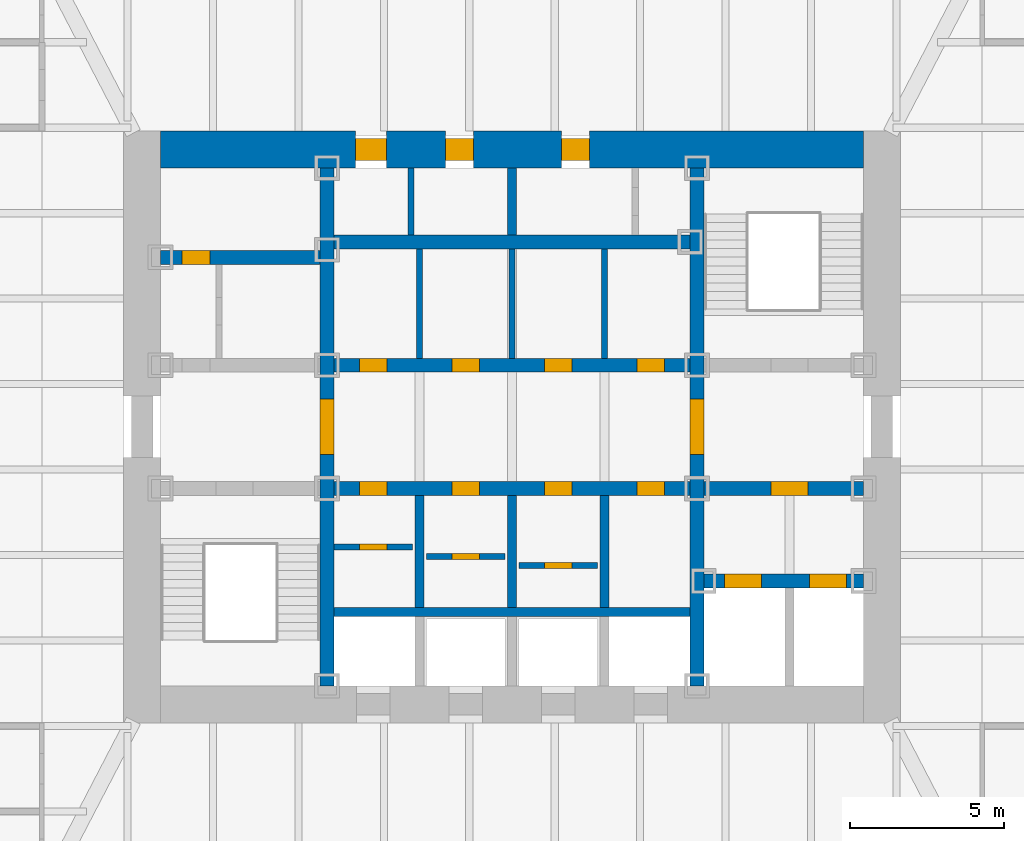
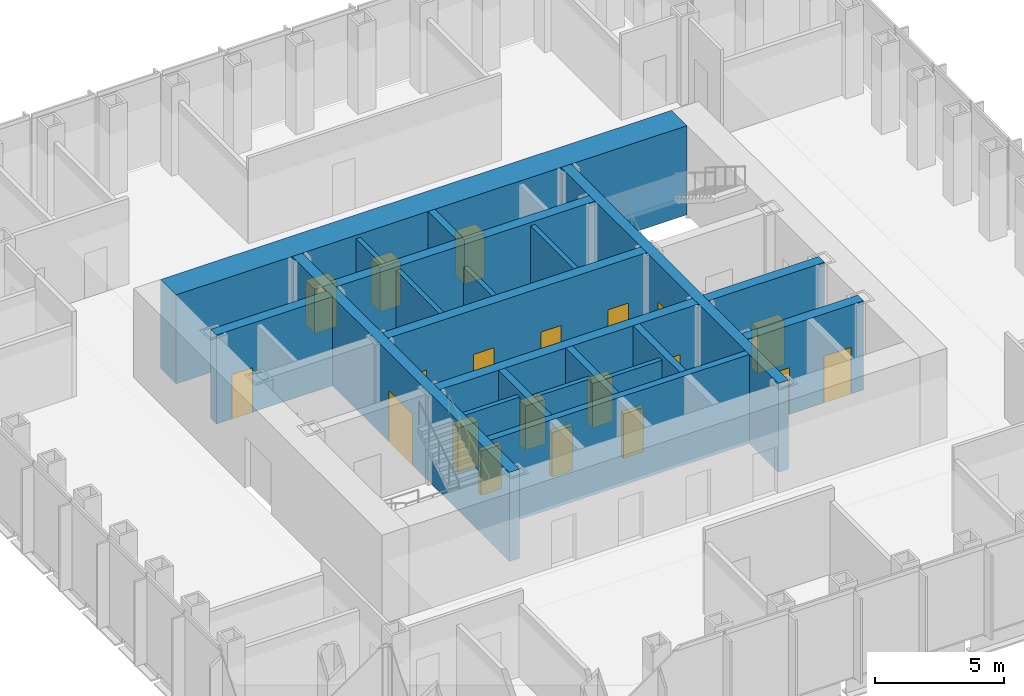
# One storey, part 9 of 16: 21 walls, 20 doors, 20 openings.
"""IFC4 building model written with IfcOpenShell, lengths in metres."""

from ifc_helpers import new_model, si_unit, direction, frame, frame_2d, origin, place, context, subcontext, project, spatial, rectangle, extrude, material, layer, layer_set, type_object, element, fill, save


model = new_model("IFC4")

# Units and contexts
model_context = context("Model", 3, precision=1e-05, world=origin(), true_north=direction((0.0, 1.0)))
body_context = subcontext(model_context, "Body", "Model", "MODEL_VIEW")
ifc_project = project(units=[si_unit("LENGTHUNIT", "METRE"), si_unit("AREAUNIT", "SQUARE_METRE"), si_unit("VOLUMEUNIT", "CUBIC_METRE"), si_unit("PLANEANGLEUNIT", "RADIAN"), si_unit("MASSUNIT", "GRAM", prefix="KILO")], contexts=[model_context])

# Site, building, storey
site_placement = place(None, origin())
site = spatial("IfcSite", under=ifc_project, at=site_placement, CompositionType="ELEMENT")
building_placement = place(site_placement, origin())
building = spatial("IfcBuilding", under=site, at=building_placement, Name="Daluyong Arena Tower", CompositionType="ELEMENT")
storey_placement = place(building_placement, frame((0.0, 0.0, 262.89990234375)))
storey = spatial("IfcBuildingStorey", under=building, at=storey_placement, Name="L59", CompositionType="ELEMENT", Elevation=262.89990234375)

# Wall, opening, door
ifc_material_1 = material(Name="Concrete fc' 45 MPa", Category="concrete")
ifc_layer_1 = layer(ifc_material_1, 0.449951171875)
ifc_layer_set_1 = layer_set([ifc_layer_1], Name="Concrete fc' 45 MPa")
wall_type_1 = type_object("IfcWallType", Name="Core inner wall 450", PredefinedType="SHEAR", material=ifc_layer_set_1)
wall_1_placement = place(storey_placement, frame((50.0, 71.60009765625, 0.0), z_axis=(0.0, 0.0, 1.0), x_axis=(0.0, 1.0, 0.0)))
wall_1 = element("IfcWall", 1, at=wall_1_placement, inside=storey, type_object=wall_type_1, Name="core inner wall at L59", PredefinedType="SHEAR", context=body_context, shape_type="SweptSolid", body=[
    extrude(rectangle(XDim=16.7998046875, YDim=0.449951171875, at=frame_2d((8.39990234375, 0.0))), origin(), (0.0, 0.0, 1.0), 4.2001953125),
])
opening_1_placement = place(wall_1_placement, frame((7.5, 0.0, 0.0)))
opening_1 = element("IfcOpeningElement", 2, at=opening_1_placement, cuts=wall_1, Name="Opening 59023", PredefinedType="OPENING", context=body_context, shape_type="SweptSolid", body=[
    extrude(rectangle(XDim=1.800048828125, YDim=2.39990234375, at=frame_2d((0.89990234375, 1.199951171875))), frame((0.0, 0.23486328125, 0.0), z_axis=(0.0, -1.0, 0.0), x_axis=(1.0, 0.0, 0.0)), (0.0, 0.0, 1.0), 0.469970703125),
])
ifc_material_2 = material(Name="Steel door, fire rated", Category="steel")
door_type_1 = type_object("IfcDoorType", Name="Lift lobby opening door 1800", OperationType="DOUBLE_DOOR_SINGLE_SWING", PredefinedType="DOOR", material=ifc_material_2)
door_1_placement = place(opening_1_placement, origin())
door_1 = element("IfcDoor", 3, at=door_1_placement, inside=storey, type_object=door_type_1, Name="lift lobby door west 59023", OperationType="DOUBLE_DOOR_SINGLE_SWING", OverallHeight=2.39990234375, OverallWidth=1.800048828125, PredefinedType="DOOR", context=body_context, shape_type="SweptSolid", body=[
    extrude(rectangle(XDim=1.800048828125, YDim=2.39990234375, at=frame_2d((0.89990234375, 1.199951171875))), frame((0.0, 0.224609375, 0.0), z_axis=(0.0, -1.0, 0.0), x_axis=(1.0, 0.0, 0.0)), (0.0, 0.0, 1.0), 0.449462890625),
])
fill(opening_1, door_1)

wall_2_placement = place(storey_placement, frame((62.0, 71.60009765625, 0.0), z_axis=(0.0, 0.0, 1.0), x_axis=(0.0, 1.0, 0.0)))
wall_2 = element("IfcWall", 4, at=wall_2_placement, inside=storey, type_object=wall_type_1, Name="core inner wall at L59", PredefinedType="SHEAR", context=body_context, shape_type="SweptSolid", body=[
    extrude(rectangle(XDim=16.7998046875, YDim=0.449951171875, at=frame_2d((8.39990234375, 0.0))), origin(), (0.0, 0.0, 1.0), 4.2001953125),
])
opening_2_placement = place(wall_2_placement, frame((7.5, 0.0, 0.0)))
opening_2 = element("IfcOpeningElement", 5, at=opening_2_placement, cuts=wall_2, Name="Opening 59024", PredefinedType="OPENING", context=body_context, shape_type="SweptSolid", body=[
    extrude(rectangle(XDim=1.800048828125, YDim=2.39990234375, at=frame_2d((0.89990234375, 1.199951171875))), frame((0.0, 0.23486328125, 0.0), z_axis=(0.0, -1.0, 0.0), x_axis=(1.0, 0.0, 0.0)), (0.0, 0.0, 1.0), 0.469970703125),
])
door_2_placement = place(opening_2_placement, origin())
door_2 = element("IfcDoor", 6, at=door_2_placement, inside=storey, type_object=door_type_1, Name="lift lobby door east 59024", OperationType="DOUBLE_DOOR_SINGLE_SWING", OverallHeight=2.39990234375, OverallWidth=1.800048828125, PredefinedType="DOOR", context=body_context, shape_type="SweptSolid", body=[
    extrude(rectangle(XDim=1.800048828125, YDim=2.39990234375, at=frame_2d((0.89990234375, 1.199951171875))), frame((0.0, 0.224609375, 0.0), z_axis=(0.0, -1.0, 0.0), x_axis=(1.0, 0.0, 0.0)), (0.0, 0.0, 1.0), 0.449462890625),
])
fill(opening_2, door_2)

wall_3_placement = place(storey_placement, frame((44.60009765625, 85.5, 0.0), z_axis=(0.0, 0.0, 1.0), x_axis=(1.0, 0.0, 0.0)))
wall_3 = element("IfcWall", 7, at=wall_3_placement, inside=storey, type_object=wall_type_1, Name="core inner wall at L59", PredefinedType="SHEAR", context=body_context, shape_type="SweptSolid", body=[
    extrude(rectangle(XDim=5.1748046875, YDim=0.449951171875, at=frame_2d((2.58740234375, 0.0))), origin(), (0.0, 0.0, 1.0), 4.2001953125),
])
opening_3_placement = place(wall_3_placement, frame((0.699951171875, 0.0, 0.0)))
opening_3 = element("IfcOpeningElement", 8, at=opening_3_placement, cuts=wall_3, Name="Opening 59003", PredefinedType="OPENING", context=body_context, shape_type="SweptSolid", body=[
    extrude(rectangle(XDim=0.89990234375, YDim=2.10009765625, at=frame_2d((0.449951171875, 1.050048828125))), frame((0.0, 0.23486328125, 0.0), z_axis=(0.0, -1.0, 0.0), x_axis=(1.0, 0.0, 0.0)), (0.0, 0.0, 1.0), 0.469970703125),
])
ifc_material_3 = material(Name="Timber door", Category="wood")
door_type_2 = type_object("IfcDoorType", Name="Toilet door 900", OperationType="SINGLE_SWING_RIGHT", PredefinedType="DOOR", material=ifc_material_3)
door_3_placement = place(opening_3_placement, origin())
door_3 = element("IfcDoor", 9, at=door_3_placement, inside=storey, type_object=door_type_2, Name="female toilet door 59003", OperationType="SINGLE_SWING_RIGHT", OverallHeight=2.10009765625, OverallWidth=0.89990234375, PredefinedType="DOOR", context=body_context, shape_type="SweptSolid", body=[
    extrude(rectangle(XDim=0.89990234375, YDim=2.10009765625, at=frame_2d((0.449951171875, 1.050048828125))), frame((0.0, 0.224609375, 0.0), z_axis=(0.0, -1.0, 0.0), x_axis=(1.0, 0.0, 0.0)), (0.0, 0.0, 1.0), 0.449462890625),
])
fill(opening_3, door_3)

# Wall, openings, doors
wall_4_placement = place(storey_placement, frame((62.22509765625, 75.0, 0.0), z_axis=(0.0, 0.0, 1.0), x_axis=(1.0, 0.0, 0.0)))
wall_4 = element("IfcWall", 10, at=wall_4_placement, inside=storey, type_object=wall_type_1, Name="core inner wall at L59", PredefinedType="SHEAR", context=body_context, shape_type="SweptSolid", body=[
    extrude(rectangle(XDim=5.1748046875, YDim=0.449951171875, at=frame_2d((2.58740234375, 0.0))), origin(), (0.0, 0.0, 1.0), 4.2001953125),
])
opening_4_placement = place(wall_4_placement, frame((0.675048828125, 0.0, 0.0)))
opening_4 = element("IfcOpeningElement", 11, at=opening_4_placement, cuts=wall_4, Name="Opening 59030", PredefinedType="OPENING", context=body_context, shape_type="SweptSolid", body=[
    extrude(rectangle(XDim=1.199951171875, YDim=2.199951171875, at=frame_2d((0.60009765625, 1.10009765625))), frame((0.0, 0.23486328125, 0.0), z_axis=(0.0, -1.0, 0.0), x_axis=(1.0, 0.0, 0.0)), (0.0, 0.0, 1.0), 0.469970703125),
])
opening_5_placement = place(wall_4_placement, frame((3.425048828125, 0.0, 0.0)))
opening_5 = element("IfcOpeningElement", 12, at=opening_5_placement, cuts=wall_4, Name="Opening 59031", PredefinedType="OPENING", context=body_context, shape_type="SweptSolid", body=[
    extrude(rectangle(XDim=1.199951171875, YDim=2.199951171875, at=frame_2d((0.60009765625, 1.10009765625))), frame((0.0, 0.23486328125, 0.0), z_axis=(0.0, -1.0, 0.0), x_axis=(1.0, 0.0, 0.0)), (0.0, 0.0, 1.0), 0.469970703125),
])
ifc_material_4 = material(Name="Steel door, fire rated", Category="steel")
door_type_3 = type_object("IfcDoorType", Name="Firefighting lift landing door 1200", OperationType="SLIDING_TO_LEFT", PredefinedType="DOOR", material=ifc_material_4)
door_4_placement = place(opening_4_placement, origin())
door_4 = element("IfcDoor", 13, at=door_4_placement, inside=storey, type_object=door_type_3, Name="firefighting lift landing door F1 59030", OperationType="SLIDING_TO_LEFT", OverallHeight=2.199951171875, OverallWidth=1.199951171875, PredefinedType="DOOR", context=body_context, shape_type="SweptSolid", body=[
    extrude(rectangle(XDim=1.199951171875, YDim=2.199951171875, at=frame_2d((0.60009765625, 1.10009765625))), frame((0.0, 0.224609375, 0.0), z_axis=(0.0, -1.0, 0.0), x_axis=(1.0, 0.0, 0.0)), (0.0, 0.0, 1.0), 0.449462890625),
])
fill(opening_4, door_4)
door_5_placement = place(opening_5_placement, origin())
door_5 = element("IfcDoor", 14, at=door_5_placement, inside=storey, type_object=door_type_3, Name="firefighting lift landing door F2 59031", OperationType="SLIDING_TO_LEFT", OverallHeight=2.199951171875, OverallWidth=1.199951171875, PredefinedType="DOOR", context=body_context, shape_type="SweptSolid", body=[
    extrude(rectangle(XDim=1.199951171875, YDim=2.199951171875, at=frame_2d((0.60009765625, 1.10009765625))), frame((0.0, 0.224609375, 0.0), z_axis=(0.0, -1.0, 0.0), x_axis=(1.0, 0.0, 0.0)), (0.0, 0.0, 1.0), 0.449462890625),
])
fill(opening_5, door_5)

# Wall, opening, door
wall_5_placement = place(storey_placement, frame((62.22509765625, 78.0, 0.0), z_axis=(0.0, 0.0, 1.0), x_axis=(1.0, 0.0, 0.0)))
wall_5 = element("IfcWall", 15, at=wall_5_placement, inside=storey, type_object=wall_type_1, Name="core inner wall at L59", PredefinedType="SHEAR", context=body_context, shape_type="SweptSolid", body=[
    extrude(rectangle(XDim=5.1748046875, YDim=0.449951171875, at=frame_2d((2.58740234375, 0.0))), origin(), (0.0, 0.0, 1.0), 4.2001953125),
])
opening_6_placement = place(wall_5_placement, frame((2.175048828125, 0.0, 0.0)))
opening_6 = element("IfcOpeningElement", 16, at=opening_6_placement, cuts=wall_5, Name="Opening 59025", PredefinedType="OPENING", context=body_context, shape_type="SweptSolid", body=[
    extrude(rectangle(XDim=1.199951171875, YDim=2.10009765625, at=frame_2d((0.60009765625, 1.050048828125))), frame((0.0, 0.23486328125, 0.0), z_axis=(0.0, -1.0, 0.0), x_axis=(1.0, 0.0, 0.0)), (0.0, 0.0, 1.0), 0.469970703125),
])
ifc_material_5 = material(Name="Steel door, fire rated", Category="steel")
door_type_4 = type_object("IfcDoorType", Name="Firefighting lobby door 1200", OperationType="SINGLE_SWING_RIGHT", PredefinedType="DOOR", material=ifc_material_5)
door_6_placement = place(opening_6_placement, origin())
door_6 = element("IfcDoor", 17, at=door_6_placement, inside=storey, type_object=door_type_4, Name="firefighting lobby door 59025", OperationType="SINGLE_SWING_RIGHT", OverallHeight=2.10009765625, OverallWidth=1.199951171875, PredefinedType="DOOR", context=body_context, shape_type="SweptSolid", body=[
    extrude(rectangle(XDim=1.199951171875, YDim=2.10009765625, at=frame_2d((0.60009765625, 1.050048828125))), frame((0.0, 0.224609375, 0.0), z_axis=(0.0, -1.0, 0.0), x_axis=(1.0, 0.0, 0.0)), (0.0, 0.0, 1.0), 0.449462890625),
])
fill(opening_6, door_6)

# Wall, openings, doors
wall_6_placement = place(storey_placement, frame((50.22509765625, 78.0, 0.0), z_axis=(0.0, 0.0, 1.0), x_axis=(1.0, 0.0, 0.0)))
wall_6 = element("IfcWall", 18, at=wall_6_placement, inside=storey, type_object=wall_type_1, Name="core inner wall at L59", PredefinedType="SHEAR", context=body_context, shape_type="SweptSolid", body=[
    extrude(rectangle(XDim=11.5498046875, YDim=0.449951171875, at=frame_2d((5.77490234375, 0.0))), origin(), (0.0, 0.0, 1.0), 4.2001953125),
])
opening_7_placement = place(wall_6_placement, frame((0.824951171875, 0.0, 0.0)))
opening_7 = element("IfcOpeningElement", 19, at=opening_7_placement, cuts=wall_6, Name="Opening 59008", PredefinedType="OPENING", context=body_context, shape_type="SweptSolid", body=[
    extrude(rectangle(XDim=0.89990234375, YDim=2.10009765625, at=frame_2d((0.449951171875, 1.050048828125))), frame((0.0, 0.23486328125, 0.0), z_axis=(0.0, -1.0, 0.0), x_axis=(1.0, 0.0, 0.0)), (0.0, 0.0, 1.0), 0.469970703125),
])
opening_8_placement = place(wall_6_placement, frame((3.824951171875, 0.0, 0.0)))
opening_8 = element("IfcOpeningElement", 20, at=opening_8_placement, cuts=wall_6, Name="Opening 59010", PredefinedType="OPENING", context=body_context, shape_type="SweptSolid", body=[
    extrude(rectangle(XDim=0.89990234375, YDim=2.10009765625, at=frame_2d((0.449951171875, 1.050048828125))), frame((0.0, 0.23486328125, 0.0), z_axis=(0.0, -1.0, 0.0), x_axis=(1.0, 0.0, 0.0)), (0.0, 0.0, 1.0), 0.469970703125),
])
opening_9_placement = place(wall_6_placement, frame((6.824951171875, 0.0, 0.0)))
opening_9 = element("IfcOpeningElement", 21, at=opening_9_placement, cuts=wall_6, Name="Opening 59012", PredefinedType="OPENING", context=body_context, shape_type="SweptSolid", body=[
    extrude(rectangle(XDim=0.89990234375, YDim=2.10009765625, at=frame_2d((0.449951171875, 1.050048828125))), frame((0.0, 0.23486328125, 0.0), z_axis=(0.0, -1.0, 0.0), x_axis=(1.0, 0.0, 0.0)), (0.0, 0.0, 1.0), 0.469970703125),
])
opening_10_placement = place(wall_6_placement, frame((9.824951171875, 0.0, 0.0)))
opening_10 = element("IfcOpeningElement", 22, at=opening_10_placement, cuts=wall_6, Name="Opening 59014", PredefinedType="OPENING", context=body_context, shape_type="SweptSolid", body=[
    extrude(rectangle(XDim=0.89990234375, YDim=2.10009765625, at=frame_2d((0.449951171875, 1.050048828125))), frame((0.0, 0.23486328125, 0.0), z_axis=(0.0, -1.0, 0.0), x_axis=(1.0, 0.0, 0.0)), (0.0, 0.0, 1.0), 0.469970703125),
])
ifc_material_6 = material(Name="Steel door, fire rated", Category="steel")
door_type_5 = type_object("IfcDoorType", Name="Core room door 900", OperationType="SINGLE_SWING_LEFT", PredefinedType="DOOR", material=ifc_material_6)
door_7_placement = place(opening_10_placement, origin())
door_7 = element("IfcDoor", 23, at=door_7_placement, inside=storey, type_object=door_type_5, Name="tea point door 59014", OperationType="SINGLE_SWING_LEFT", OverallHeight=2.10009765625, OverallWidth=0.89990234375, PredefinedType="DOOR", context=body_context, shape_type="SweptSolid", body=[
    extrude(rectangle(XDim=0.89990234375, YDim=2.10009765625, at=frame_2d((0.449951171875, 1.050048828125))), frame((0.0, 0.224609375, 0.0), z_axis=(0.0, -1.0, 0.0), x_axis=(1.0, 0.0, 0.0)), (0.0, 0.0, 1.0), 0.449462890625),
])
fill(opening_10, door_7)
ifc_material_7 = material(Name="Steel door, fire rated", Category="steel")
door_type_6 = type_object("IfcDoorType", Name="Core store door 900", OperationType="SINGLE_SWING_LEFT", PredefinedType="DOOR", material=ifc_material_7)
door_8_placement = place(opening_7_placement, origin())
door_8 = element("IfcDoor", 24, at=door_8_placement, inside=storey, type_object=door_type_6, Name="stationery store door 59008", OperationType="SINGLE_SWING_LEFT", OverallHeight=2.10009765625, OverallWidth=0.89990234375, PredefinedType="DOOR", context=body_context, shape_type="SweptSolid", body=[
    extrude(rectangle(XDim=0.89990234375, YDim=2.10009765625, at=frame_2d((0.449951171875, 1.050048828125))), frame((0.0, 0.224609375, 0.0), z_axis=(0.0, -1.0, 0.0), x_axis=(1.0, 0.0, 0.0)), (0.0, 0.0, 1.0), 0.449462890625),
])
fill(opening_7, door_8)
door_9_placement = place(opening_8_placement, origin())
door_9 = element("IfcDoor", 25, at=door_9_placement, inside=storey, type_object=door_type_6, Name="security store door 59010", OperationType="SINGLE_SWING_LEFT", OverallHeight=2.10009765625, OverallWidth=0.89990234375, PredefinedType="DOOR", context=body_context, shape_type="SweptSolid", body=[
    extrude(rectangle(XDim=0.89990234375, YDim=2.10009765625, at=frame_2d((0.449951171875, 1.050048828125))), frame((0.0, 0.224609375, 0.0), z_axis=(0.0, -1.0, 0.0), x_axis=(1.0, 0.0, 0.0)), (0.0, 0.0, 1.0), 0.449462890625),
])
fill(opening_8, door_9)
door_10_placement = place(opening_9_placement, origin())
door_10 = element("IfcDoor", 26, at=door_10_placement, inside=storey, type_object=door_type_6, Name="furniture store door 59012", OperationType="SINGLE_SWING_LEFT", OverallHeight=2.10009765625, OverallWidth=0.89990234375, PredefinedType="DOOR", context=body_context, shape_type="SweptSolid", body=[
    extrude(rectangle(XDim=0.89990234375, YDim=2.10009765625, at=frame_2d((0.449951171875, 1.050048828125))), frame((0.0, 0.224609375, 0.0), z_axis=(0.0, -1.0, 0.0), x_axis=(1.0, 0.0, 0.0)), (0.0, 0.0, 1.0), 0.449462890625),
])
fill(opening_9, door_10)

wall_7_placement = place(storey_placement, frame((50.22509765625, 82.0, 0.0), z_axis=(0.0, 0.0, 1.0), x_axis=(1.0, 0.0, 0.0)))
wall_7 = element("IfcWall", 27, at=wall_7_placement, inside=storey, type_object=wall_type_1, Name="core inner wall at L59", PredefinedType="SHEAR", context=body_context, shape_type="SweptSolid", body=[
    extrude(rectangle(XDim=11.5498046875, YDim=0.449951171875, at=frame_2d((5.77490234375, 0.0))), origin(), (0.0, 0.0, 1.0), 4.2001953125),
])
opening_11_placement = place(wall_7_placement, frame((0.824951171875, 0.0, 0.0)))
opening_11 = element("IfcOpeningElement", 28, at=opening_11_placement, cuts=wall_7, Name="Opening 59015", PredefinedType="OPENING", context=body_context, shape_type="SweptSolid", body=[
    extrude(rectangle(XDim=0.89990234375, YDim=2.10009765625, at=frame_2d((0.449951171875, 1.050048828125))), frame((0.0, 0.23486328125, 0.0), z_axis=(0.0, -1.0, 0.0), x_axis=(1.0, 0.0, 0.0)), (0.0, 0.0, 1.0), 0.469970703125),
])
opening_12_placement = place(wall_7_placement, frame((3.824951171875, 0.0, 0.0)))
opening_12 = element("IfcOpeningElement", 29, at=opening_12_placement, cuts=wall_7, Name="Opening 59016", PredefinedType="OPENING", context=body_context, shape_type="SweptSolid", body=[
    extrude(rectangle(XDim=0.89990234375, YDim=2.10009765625, at=frame_2d((0.449951171875, 1.050048828125))), frame((0.0, 0.23486328125, 0.0), z_axis=(0.0, -1.0, 0.0), x_axis=(1.0, 0.0, 0.0)), (0.0, 0.0, 1.0), 0.469970703125),
])
opening_13_placement = place(wall_7_placement, frame((6.824951171875, 0.0, 0.0)))
opening_13 = element("IfcOpeningElement", 30, at=opening_13_placement, cuts=wall_7, Name="Opening 59017", PredefinedType="OPENING", context=body_context, shape_type="SweptSolid", body=[
    extrude(rectangle(XDim=0.89990234375, YDim=2.10009765625, at=frame_2d((0.449951171875, 1.050048828125))), frame((0.0, 0.23486328125, 0.0), z_axis=(0.0, -1.0, 0.0), x_axis=(1.0, 0.0, 0.0)), (0.0, 0.0, 1.0), 0.469970703125),
])
opening_14_placement = place(wall_7_placement, frame((9.824951171875, 0.0, 0.0)))
opening_14 = element("IfcOpeningElement", 31, at=opening_14_placement, cuts=wall_7, Name="Opening 59018", PredefinedType="OPENING", context=body_context, shape_type="SweptSolid", body=[
    extrude(rectangle(XDim=0.89990234375, YDim=2.10009765625, at=frame_2d((0.449951171875, 1.050048828125))), frame((0.0, 0.23486328125, 0.0), z_axis=(0.0, -1.0, 0.0), x_axis=(1.0, 0.0, 0.0)), (0.0, 0.0, 1.0), 0.469970703125),
])
door_11_placement = place(opening_12_placement, origin())
door_11 = element("IfcDoor", 32, at=door_11_placement, inside=storey, type_object=door_type_5, Name="mail room door 59016", OperationType="SINGLE_SWING_LEFT", OverallHeight=2.10009765625, OverallWidth=0.89990234375, PredefinedType="DOOR", context=body_context, shape_type="SweptSolid", body=[
    extrude(rectangle(XDim=0.89990234375, YDim=2.10009765625, at=frame_2d((0.449951171875, 1.050048828125))), frame((0.0, 0.224609375, 0.0), z_axis=(0.0, -1.0, 0.0), x_axis=(1.0, 0.0, 0.0)), (0.0, 0.0, 1.0), 0.449462890625),
])
fill(opening_12, door_11)
door_12_placement = place(opening_14_placement, origin())
door_12 = element("IfcDoor", 33, at=door_12_placement, inside=storey, type_object=door_type_5, Name="vending room door 59018", OperationType="SINGLE_SWING_LEFT", OverallHeight=2.10009765625, OverallWidth=0.89990234375, PredefinedType="DOOR", context=body_context, shape_type="SweptSolid", body=[
    extrude(rectangle(XDim=0.89990234375, YDim=2.10009765625, at=frame_2d((0.449951171875, 1.050048828125))), frame((0.0, 0.224609375, 0.0), z_axis=(0.0, -1.0, 0.0), x_axis=(1.0, 0.0, 0.0)), (0.0, 0.0, 1.0), 0.449462890625),
])
fill(opening_14, door_12)
door_13_placement = place(opening_13_placement, origin())
door_13 = element("IfcDoor", 34, at=door_13_placement, inside=storey, type_object=door_type_6, Name="facilities store door 59017", OperationType="SINGLE_SWING_LEFT", OverallHeight=2.10009765625, OverallWidth=0.89990234375, PredefinedType="DOOR", context=body_context, shape_type="SweptSolid", body=[
    extrude(rectangle(XDim=0.89990234375, YDim=2.10009765625, at=frame_2d((0.449951171875, 1.050048828125))), frame((0.0, 0.224609375, 0.0), z_axis=(0.0, -1.0, 0.0), x_axis=(1.0, 0.0, 0.0)), (0.0, 0.0, 1.0), 0.449462890625),
])
fill(opening_13, door_13)
ifc_material_8 = material(Name="Steel door, fire rated", Category="steel")
door_type_7 = type_object("IfcDoorType", Name="Plant room door 900", OperationType="SINGLE_SWING_LEFT", PredefinedType="DOOR", material=ifc_material_8)
door_14_placement = place(opening_11_placement, origin())
door_14 = element("IfcDoor", 35, at=door_14_placement, inside=storey, type_object=door_type_7, Name="comms room door 59015", OperationType="SINGLE_SWING_LEFT", OverallHeight=2.10009765625, OverallWidth=0.89990234375, PredefinedType="DOOR", context=body_context, shape_type="SweptSolid", body=[
    extrude(rectangle(XDim=0.89990234375, YDim=2.10009765625, at=frame_2d((0.449951171875, 1.050048828125))), frame((0.0, 0.224609375, 0.0), z_axis=(0.0, -1.0, 0.0), x_axis=(1.0, 0.0, 0.0)), (0.0, 0.0, 1.0), 0.449462890625),
])
fill(opening_11, door_14)

# Wall
wall_8_placement = place(storey_placement, frame((50.22509765625, 86.0, 0.0), z_axis=(0.0, 0.0, 1.0), x_axis=(1.0, 0.0, 0.0)))
element("IfcWall", 36, at=wall_8_placement, inside=storey, type_object=wall_type_1, Name="core inner wall at L59", PredefinedType="SHEAR", context=body_context, shape_type="SweptSolid", body=[
    extrude(rectangle(XDim=11.5498046875, YDim=0.449951171875, at=frame_2d((5.77490234375, 0.0))), origin(), (0.0, 0.0, 1.0), 4.2001953125),
])

# Wall, openings, doors
ifc_material_9 = material(Name="Concrete fc' 60 MPa", Category="concrete")
ifc_layer_2 = layer(ifc_material_9, 1.199951171875)
ifc_layer_set_2 = layer_set([ifc_layer_2], Name="Concrete fc' 60 MPa")
wall_type_2 = type_object("IfcWallType", Name="Core wall 1200", PredefinedType="SHEAR", material=ifc_layer_set_2)
wall_9_placement = place(storey_placement, frame((44.60009765625, 89.0, 0.0), z_axis=(0.0, 0.0, 1.0), x_axis=(1.0, 0.0, 0.0)))
wall_9 = element("IfcWall", 37, at=wall_9_placement, inside=storey, type_object=wall_type_2, Name="core wall at L59", PredefinedType="SHEAR", context=body_context, shape_type="SweptSolid", body=[
    extrude(rectangle(XDim=22.7998046875, YDim=1.199951171875, at=frame_2d((11.39990234375, 0.0))), origin(), (0.0, 0.0, 1.0), 4.2001953125),
])
opening_15_placement = place(wall_9_placement, frame((6.324951171875, 0.0, 0.0)))
opening_15 = element("IfcOpeningElement", 38, at=opening_15_placement, cuts=wall_9, Name="Opening 59004", PredefinedType="OPENING", context=body_context, shape_type="SweptSolid", body=[
    extrude(rectangle(XDim=1.0, YDim=2.10009765625, at=frame_2d((0.5, 1.050048828125))), frame((0.0, 0.60986328125, 0.0), z_axis=(0.0, -1.0, 0.0), x_axis=(1.0, 0.0, 0.0)), (0.0, 0.0, 1.0), 1.219970703125),
])
opening_16_placement = place(wall_9_placement, frame((9.25, 0.0, 0.0)))
opening_16 = element("IfcOpeningElement", 39, at=opening_16_placement, cuts=wall_9, Name="Opening 59005", PredefinedType="OPENING", context=body_context, shape_type="SweptSolid", body=[
    extrude(rectangle(XDim=0.89990234375, YDim=2.10009765625, at=frame_2d((0.449951171875, 1.050048828125))), frame((0.0, 0.60986328125, 0.0), z_axis=(0.0, -1.0, 0.0), x_axis=(1.0, 0.0, 0.0)), (0.0, 0.0, 1.0), 1.219970703125),
])
opening_17_placement = place(wall_9_placement, frame((13.012451171875, 0.0, 0.0)))
opening_17 = element("IfcOpeningElement", 40, at=opening_17_placement, cuts=wall_9, Name="Opening 59006", PredefinedType="OPENING", context=body_context, shape_type="SweptSolid", body=[
    extrude(rectangle(XDim=0.89990234375, YDim=2.10009765625, at=frame_2d((0.449951171875, 1.050048828125))), frame((0.0, 0.60986328125, 0.0), z_axis=(0.0, -1.0, 0.0), x_axis=(1.0, 0.0, 0.0)), (0.0, 0.0, 1.0), 1.219970703125),
])
ifc_material_10 = material(Name="Timber door", Category="wood")
door_type_8 = type_object("IfcDoorType", Name="Accessible toilet door 1000", OperationType="SINGLE_SWING_LEFT", PredefinedType="DOOR", material=ifc_material_10)
door_15_placement = place(opening_15_placement, origin())
door_15 = element("IfcDoor", 41, at=door_15_placement, inside=storey, type_object=door_type_8, Name="accessible toilet door 59004", OperationType="SINGLE_SWING_LEFT", OverallHeight=2.10009765625, OverallWidth=1.0, PredefinedType="DOOR", context=body_context, shape_type="SweptSolid", body=[
    extrude(rectangle(XDim=1.0, YDim=2.10009765625, at=frame_2d((0.5, 1.050048828125))), frame((0.0, 0.35009765625, 0.0), z_axis=(0.0, -1.0, 0.0), x_axis=(1.0, 0.0, 0.0)), (0.0, 0.0, 1.0), 0.699951171875),
])
fill(opening_15, door_15)
door_16_placement = place(opening_16_placement, origin())
door_16 = element("IfcDoor", 42, at=door_16_placement, inside=storey, type_object=door_type_6, Name="cleaner's store door 59005", OperationType="SINGLE_SWING_LEFT", OverallHeight=2.10009765625, OverallWidth=0.89990234375, PredefinedType="DOOR", context=body_context, shape_type="SweptSolid", body=[
    extrude(rectangle(XDim=0.89990234375, YDim=2.10009765625, at=frame_2d((0.449951171875, 1.050048828125))), frame((0.0, 0.35009765625, 0.0), z_axis=(0.0, -1.0, 0.0), x_axis=(1.0, 0.0, 0.0)), (0.0, 0.0, 1.0), 0.699951171875),
])
fill(opening_16, door_16)
door_17_placement = place(opening_17_placement, origin())
door_17 = element("IfcDoor", 43, at=door_17_placement, inside=storey, type_object=door_type_6, Name="tenant store door 59006", OperationType="SINGLE_SWING_LEFT", OverallHeight=2.10009765625, OverallWidth=0.89990234375, PredefinedType="DOOR", context=body_context, shape_type="SweptSolid", body=[
    extrude(rectangle(XDim=0.89990234375, YDim=2.10009765625, at=frame_2d((0.449951171875, 1.050048828125))), frame((0.0, 0.35009765625, 0.0), z_axis=(0.0, -1.0, 0.0), x_axis=(1.0, 0.0, 0.0)), (0.0, 0.0, 1.0), 0.699951171875),
])
fill(opening_17, door_17)

# Wall
ifc_material_11 = material(Name="Concrete block partition, fire rated", Category="concrete")
ifc_layer_3 = layer(ifc_material_11, 0.199951171875)
ifc_layer_set_3 = layer_set([ifc_layer_3], Name="Concrete block partition, fire rated")
wall_type_3 = type_object("IfcWallType", Name="Fire-rated partition 200", PredefinedType="PARTITIONING", material=ifc_layer_set_3)
wall_10_placement = place(storey_placement, frame((52.72509765625, 86.22509765625, 0.0), z_axis=(0.0, 0.0, 1.0), x_axis=(0.0, 1.0, 0.0)))
element("IfcWall", 44, at=wall_10_placement, inside=storey, type_object=wall_type_3, Name="core room partition at L59", PredefinedType="PARTITIONING", context=body_context, shape_type="SweptSolid", body=[
    extrude(rectangle(XDim=2.1748046875, YDim=0.199951171875, at=frame_2d((1.08740234375, 0.0))), origin(), (0.0, 0.0, 1.0), 4.0400390625),
])

# Wall, opening, door
wall_11_placement = place(storey_placement, frame((50.22509765625, 76.10009765625, 0.0), z_axis=(0.0, 0.0, 1.0), x_axis=(1.0, 0.0, 0.0)))
wall_11 = element("IfcWall", 45, at=wall_11_placement, inside=storey, type_object=wall_type_3, Name="back store partition at L59", PredefinedType="PARTITIONING", context=body_context, shape_type="SweptSolid", body=[
    extrude(rectangle(XDim=2.5498046875, YDim=0.199951171875, at=frame_2d((1.27490234375, 0.0))), origin(), (0.0, 0.0, 1.0), 4.0400390625),
])
opening_18_placement = place(wall_11_placement, frame((0.824951171875, 0.0, 0.0)))
opening_18 = element("IfcOpeningElement", 46, at=opening_18_placement, cuts=wall_11, Name="Opening 59009", PredefinedType="OPENING", context=body_context, shape_type="SweptSolid", body=[
    extrude(rectangle(XDim=0.89990234375, YDim=2.10009765625, at=frame_2d((0.449951171875, 1.050048828125))), frame((0.0, 0.10986328125, 0.0), z_axis=(0.0, -1.0, 0.0), x_axis=(1.0, 0.0, 0.0)), (0.0, 0.0, 1.0), 0.219970703125),
])
door_18_placement = place(opening_18_placement, origin())
door_18 = element("IfcDoor", 47, at=door_18_placement, inside=storey, type_object=door_type_6, Name="archive store door 59009", OperationType="SINGLE_SWING_LEFT", OverallHeight=2.10009765625, OverallWidth=0.89990234375, PredefinedType="DOOR", context=body_context, shape_type="SweptSolid", body=[
    extrude(rectangle(XDim=0.89990234375, YDim=2.10009765625, at=frame_2d((0.449951171875, 1.050048828125))), frame((0.0, 0.099609375, 0.0), z_axis=(0.0, -1.0, 0.0), x_axis=(1.0, 0.0, 0.0)), (0.0, 0.0, 1.0), 0.199462890625),
])
fill(opening_18, door_18)

wall_12_placement = place(storey_placement, frame((53.22509765625, 75.800048828125, 0.0), z_axis=(0.0, 0.0, 1.0), x_axis=(1.0, 0.0, 0.0)))
wall_12 = element("IfcWall", 48, at=wall_12_placement, inside=storey, type_object=wall_type_3, Name="back store partition at L59", PredefinedType="PARTITIONING", context=body_context, shape_type="SweptSolid", body=[
    extrude(rectangle(XDim=2.5498046875, YDim=0.199951171875, at=frame_2d((1.27490234375, 0.0))), origin(), (0.0, 0.0, 1.0), 4.0400390625),
])
opening_19_placement = place(wall_12_placement, frame((0.824951171875, 0.0, 0.0)))
opening_19 = element("IfcOpeningElement", 49, at=opening_19_placement, cuts=wall_12, Name="Opening 59011", PredefinedType="OPENING", context=body_context, shape_type="SweptSolid", body=[
    extrude(rectangle(XDim=0.89990234375, YDim=2.10009765625, at=frame_2d((0.449951171875, 1.050048828125))), frame((0.0, 0.10986328125, 0.0), z_axis=(0.0, -1.0, 0.0), x_axis=(1.0, 0.0, 0.0)), (0.0, 0.0, 1.0), 0.219970703125),
])
door_19_placement = place(opening_19_placement, origin())
door_19 = element("IfcDoor", 50, at=door_19_placement, inside=storey, type_object=door_type_6, Name="records store door 59011", OperationType="SINGLE_SWING_LEFT", OverallHeight=2.10009765625, OverallWidth=0.89990234375, PredefinedType="DOOR", context=body_context, shape_type="SweptSolid", body=[
    extrude(rectangle(XDim=0.89990234375, YDim=2.10009765625, at=frame_2d((0.449951171875, 1.050048828125))), frame((0.0, 0.099609375, 0.0), z_axis=(0.0, -1.0, 0.0), x_axis=(1.0, 0.0, 0.0)), (0.0, 0.0, 1.0), 0.199462890625),
])
fill(opening_19, door_19)

wall_13_placement = place(storey_placement, frame((56.22509765625, 75.5, 0.0), z_axis=(0.0, 0.0, 1.0), x_axis=(1.0, 0.0, 0.0)))
wall_13 = element("IfcWall", 51, at=wall_13_placement, inside=storey, type_object=wall_type_3, Name="back store partition at L59", PredefinedType="PARTITIONING", context=body_context, shape_type="SweptSolid", body=[
    extrude(rectangle(XDim=2.5498046875, YDim=0.199951171875, at=frame_2d((1.27490234375, 0.0))), origin(), (0.0, 0.0, 1.0), 4.0400390625),
])
opening_20_placement = place(wall_13_placement, frame((0.824951171875, 0.0, 0.0)))
opening_20 = element("IfcOpeningElement", 52, at=opening_20_placement, cuts=wall_13, Name="Opening 59013", PredefinedType="OPENING", context=body_context, shape_type="SweptSolid", body=[
    extrude(rectangle(XDim=0.89990234375, YDim=2.10009765625, at=frame_2d((0.449951171875, 1.050048828125))), frame((0.0, 0.10986328125, 0.0), z_axis=(0.0, -1.0, 0.0), x_axis=(1.0, 0.0, 0.0)), (0.0, 0.0, 1.0), 0.219970703125),
])
door_20_placement = place(opening_20_placement, origin())
door_20 = element("IfcDoor", 53, at=door_20_placement, inside=storey, type_object=door_type_6, Name="equipment store door 59013", OperationType="SINGLE_SWING_LEFT", OverallHeight=2.10009765625, OverallWidth=0.89990234375, PredefinedType="DOOR", context=body_context, shape_type="SweptSolid", body=[
    extrude(rectangle(XDim=0.89990234375, YDim=2.10009765625, at=frame_2d((0.449951171875, 1.050048828125))), frame((0.0, 0.099609375, 0.0), z_axis=(0.0, -1.0, 0.0), x_axis=(1.0, 0.0, 0.0)), (0.0, 0.0, 1.0), 0.199462890625),
])
fill(opening_20, door_20)

# Walls
wall_14_placement = place(storey_placement, frame((53.0, 82.22509765625, 0.0), z_axis=(0.0, 0.0, 1.0), x_axis=(0.0, 1.0, 0.0)))
element("IfcWall", 54, at=wall_14_placement, inside=storey, type_object=wall_type_3, Name="core room partition at L59", PredefinedType="PARTITIONING", context=body_context, shape_type="SweptSolid", body=[
    extrude(rectangle(XDim=3.5498046875, YDim=0.199951171875, at=frame_2d((1.77490234375, 0.0))), origin(), (0.0, 0.0, 1.0), 4.0400390625),
])
wall_15_placement = place(storey_placement, frame((56.0, 82.22509765625, 0.0), z_axis=(0.0, 0.0, 1.0), x_axis=(0.0, 1.0, 0.0)))
element("IfcWall", 55, at=wall_15_placement, inside=storey, type_object=wall_type_3, Name="core room partition at L59", PredefinedType="PARTITIONING", context=body_context, shape_type="SweptSolid", body=[
    extrude(rectangle(XDim=3.5498046875, YDim=0.199951171875, at=frame_2d((1.77490234375, 0.0))), origin(), (0.0, 0.0, 1.0), 3.14013671875),
])
wall_16_placement = place(storey_placement, frame((59.0, 82.22509765625, 0.0), z_axis=(0.0, 0.0, 1.0), x_axis=(0.0, 1.0, 0.0)))
element("IfcWall", 56, at=wall_16_placement, inside=storey, type_object=wall_type_3, Name="core room partition at L59", PredefinedType="PARTITIONING", context=body_context, shape_type="SweptSolid", body=[
    extrude(rectangle(XDim=3.5498046875, YDim=0.199951171875, at=frame_2d((1.77490234375, 0.0))), origin(), (0.0, 0.0, 1.0), 4.0400390625),
])
ifc_material_12 = material(Name="Concrete fc' 45 MPa", Category="concrete")
ifc_layer_4 = layer(ifc_material_12, 0.300048828125)
ifc_layer_set_4 = layer_set([ifc_layer_4], Name="Concrete fc' 45 MPa")
wall_type_4 = type_object("IfcWallType", Name="Lift shaft wall 300", PredefinedType="SHEAR", material=ifc_layer_set_4)
wall_17_placement = place(storey_placement, frame((50.22509765625, 74.0, 0.0), z_axis=(0.0, 0.0, 1.0), x_axis=(1.0, 0.0, 0.0)))
element("IfcWall", 57, at=wall_17_placement, inside=storey, type_object=wall_type_4, Name="lift shaft wall at L59", PredefinedType="SHEAR", context=body_context, shape_type="SweptSolid", body=[
    extrude(rectangle(XDim=11.5498046875, YDim=0.300048828125, at=frame_2d((5.77490234375, 0.0))), origin(), (0.0, 0.0, 1.0), 4.2001953125),
])
for number, where, z_axis, x_axis, name in (
    (58, (53.0, 74.14990234375, 0.0), (0.0, 0.0, 1.0), (0.0, 1.0, 0.0), "lift shaft wall at L59"),
    (59, (56.0, 74.14990234375, 0.0), (0.0, 0.0, 1.0), (0.0, 1.0, 0.0), "lift shaft wall at L59"),
    (60, (59.0, 74.14990234375, 0.0), (0.0, 0.0, 1.0), (0.0, 1.0, 0.0), "lift shaft wall at L59"),
):
    element("IfcWall", number, at=place(storey_placement, frame(where, z_axis=z_axis, x_axis=x_axis)), inside=storey, type_object=wall_type_4, Name=name, PredefinedType="SHEAR", context=body_context, shape_type="SweptSolid", body=[
        extrude(rectangle(XDim=3.625, YDim=0.300048828125, at=frame_2d((1.8125, 0.0))), origin(), (0.0, 0.0, 1.0), 4.2001953125),
    ])
wall_18_placement = place(storey_placement, frame((56.0, 86.22509765625, 0.0), z_axis=(0.0, 0.0, 1.0), x_axis=(0.0, 1.0, 0.0)))
element("IfcWall", 61, at=wall_18_placement, inside=storey, type_object=wall_type_4, Name="lift shaft wall at L59", PredefinedType="SHEAR", context=body_context, shape_type="SweptSolid", body=[
    extrude(rectangle(XDim=2.1748046875, YDim=0.300048828125, at=frame_2d((1.08740234375, 0.0))), origin(), (0.0, 0.0, 1.0), 4.2001953125),
])

save(model, "model.ifc")
